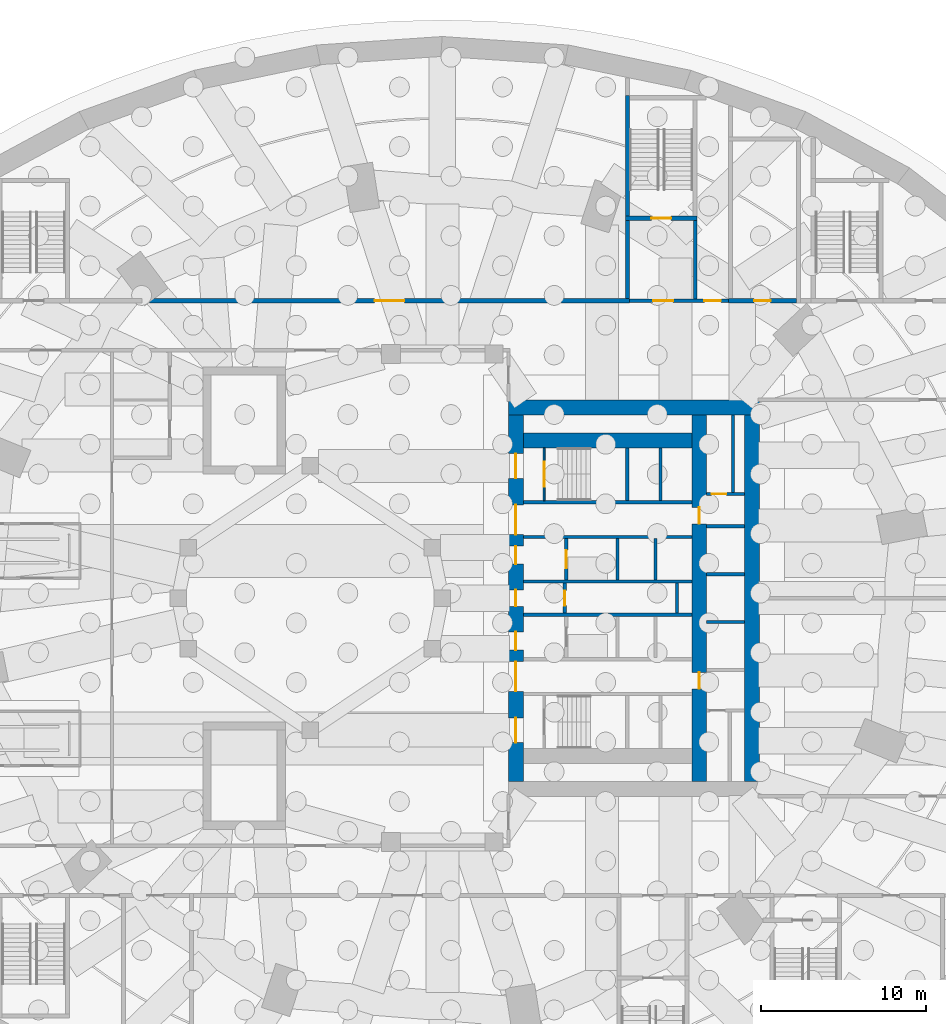
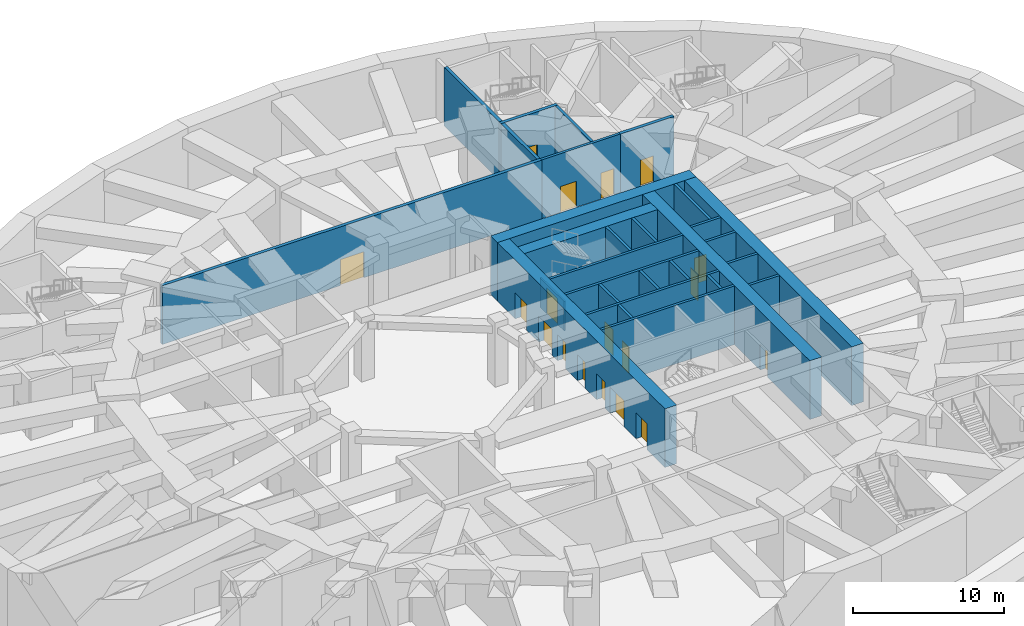
# One storey, part 10 of 18: 29 walls, 18 doors, 18 openings.
"""IFC4 building model written with IfcOpenShell, lengths in metres."""

from ifc_helpers import new_model, si_unit, direction, frame, frame_2d, origin, place, context, subcontext, project, spatial, rectangle, extrude, material, layer, layer_set, type_object, element, fill, save


model = new_model("IFC4")

# Units and contexts
model_context = context("Model", 3, precision=1e-05, world=origin(), true_north=direction((0.0, 1.0)))
body_context = subcontext(model_context, "Body", "Model", "MODEL_VIEW")
ifc_project = project(units=[si_unit("LENGTHUNIT", "METRE"), si_unit("AREAUNIT", "SQUARE_METRE"), si_unit("VOLUMEUNIT", "CUBIC_METRE"), si_unit("PLANEANGLEUNIT", "RADIAN"), si_unit("MASSUNIT", "GRAM", prefix="KILO")], contexts=[model_context])

# Site, building, storey
site_placement = place(None, origin())
site = spatial("IfcSite", under=ifc_project, at=site_placement, CompositionType="ELEMENT")
building_placement = place(site_placement, origin())
building = spatial("IfcBuilding", under=site, at=building_placement, Name="Taillehof Tower", CompositionType="ELEMENT")
storey_placement = place(building_placement, frame((0.0, 0.0, -10.39990234375)))
storey = spatial("IfcBuildingStorey", under=building, at=storey_placement, Name="B2", CompositionType="ELEMENT", Elevation=-10.39990234375)

# Wall, openings, doors
ifc_material_1 = material(Name="Calcium silicate blockwork", Category="masonry")
ifc_layer_1 = layer(ifc_material_1, 0.199951171875)
ifc_layer_set_1 = layer_set([ifc_layer_1], Name="Compartment wall EI 60 200 mm")
wall_type_1 = type_object("IfcWallType", Name="Compartment wall EI 60 200 mm", PredefinedType="PARTITIONING", material=ifc_layer_set_1)
wall_1_placement = place(storey_placement, frame((11.324951171875, 18.0, 0.0), z_axis=(0.0, 0.0, 1.0), x_axis=(1.0, 0.0, 0.0)))
wall_1 = element("IfcWall", 1, at=wall_1_placement, inside=storey, type_object=wall_type_1, Name="Wall B2-13 / B2-17", PredefinedType="PARTITIONING", context=body_context, shape_type="SweptSolid", body=[
    extrude(rectangle(XDim=6.0, YDim=0.199951171875, at=frame_2d((3.0, 0.0))), origin(), (0.0, 0.0, 1.0), 4.75),
])
opening_1_placement = place(wall_1_placement, frame((1.43798828125, 0.0, 0.0)))
opening_1 = element("IfcOpeningElement", 2, at=opening_1_placement, cuts=wall_1, Name="Opening DB273", PredefinedType="OPENING", context=body_context, shape_type="SweptSolid", body=[
    extrude(rectangle(XDim=1.199951171875, YDim=2.10009765625, at=frame_2d((0.60009765625, 1.050048828125))), frame((0.0, 0.10986328125, 0.0), z_axis=(0.0, -1.0, 0.0), x_axis=(1.0, 0.0, 0.0)), (0.0, 0.0, 1.0), 0.219970703125),
])
opening_2_placement = place(wall_1_placement, frame((4.5380859375, 0.0, 0.0)))
opening_2 = element("IfcOpeningElement", 3, at=opening_2_placement, cuts=wall_1, Name="Opening DB274", PredefinedType="OPENING", context=body_context, shape_type="SweptSolid", body=[
    extrude(rectangle(XDim=1.0, YDim=2.10009765625, at=frame_2d((0.5, 1.050048828125))), frame((0.0, 0.10986328125, 0.0), z_axis=(0.0, -1.0, 0.0), x_axis=(1.0, 0.0, 0.0)), (0.0, 0.0, 1.0), 0.219970703125),
])
ifc_material_2 = material(Name="Hollow metal door set")
door_type_1 = type_object("IfcDoorType", Name="Single door 1000 x 2100 FD60S", OperationType="SINGLE_SWING_LEFT", PredefinedType="DOOR", material=ifc_material_2)
door_1_placement = place(opening_2_placement, origin())
door_1 = element("IfcDoor", 4, at=door_1_placement, inside=storey, type_object=door_type_1, Name="Door DB274", OperationType="SINGLE_SWING_LEFT", OverallHeight=2.10009765625, OverallWidth=1.0, PredefinedType="DOOR", context=body_context, shape_type="SweptSolid", body=[
    extrude(rectangle(XDim=1.0, YDim=2.10009765625, at=frame_2d((0.5, 1.050048828125))), frame((0.0, 0.02490234375, 0.0), z_axis=(0.0, -1.0, 0.0), x_axis=(1.0, 0.0, 0.0)), (0.0, 0.0, 1.0), 0.050048828125),
])
fill(opening_2, door_1)
ifc_material_3 = material(Name="Hollow metal door set")
door_type_2 = type_object("IfcDoorType", Name="Single door 1200 x 2100 FD60S", OperationType="SINGLE_SWING_LEFT", PredefinedType="DOOR", material=ifc_material_3)
door_2_placement = place(opening_1_placement, origin())
door_2 = element("IfcDoor", 5, at=door_2_placement, inside=storey, type_object=door_type_2, Name="Door DB273", OperationType="SINGLE_SWING_RIGHT", OverallHeight=2.10009765625, OverallWidth=1.199951171875, PredefinedType="DOOR", context=body_context, shape_type="SweptSolid", body=[
    extrude(rectangle(XDim=1.199951171875, YDim=2.10009765625, at=frame_2d((0.60009765625, 1.050048828125))), frame((0.0, 0.02490234375, 0.0), z_axis=(0.0, -1.0, 0.0), x_axis=(1.0, 0.0, 0.0)), (0.0, 0.0, 1.0), 0.050048828125),
])
fill(opening_1, door_2)

# Wall
wall_2_placement = place(storey_placement, frame((15.300048828125, 18.10009765625, 0.0), z_axis=(0.0, 0.0, 1.0), x_axis=(0.0, 1.0, 0.0)))
element("IfcWall", 6, at=wall_2_placement, inside=storey, type_object=wall_type_1, Name="Wall B2-17 / B2-18", PredefinedType="PARTITIONING", context=body_context, shape_type="SweptSolid", body=[
    extrude(rectangle(XDim=4.77490234375, YDim=0.199951171875, at=frame_2d((2.387451171875, 0.0))), origin(), (0.0, 0.0, 1.0), 4.75),
])

# Wall, opening, door
ifc_material_4 = material(Name="Calcium silicate masonry", Category="masonry")
ifc_layer_2 = layer(ifc_material_4, 0.199951171875)
ifc_layer_set_2 = layer_set([ifc_layer_2], Name="Compartment wall calcium silicate 200")
wall_type_2 = type_object("IfcWallType", Name="Compartment wall calcium silicate 200", PredefinedType="PARTITIONING", material=ifc_layer_set_2)
wall_3_placement = place(storey_placement, frame((7.39990234375, -0.89990234375, 0.0), z_axis=(0.0, 0.0, 1.0), x_axis=(0.0, 1.0, 0.0)))
wall_3 = element("IfcWall", 7, at=wall_3_placement, inside=storey, type_object=wall_type_2, Name="Compartment wall FW", PredefinedType="PARTITIONING", context=body_context, shape_type="SweptSolid", body=[
    extrude(rectangle(XDim=1.7998046875, YDim=0.199951171875, at=frame_2d((0.89990234375, 0.0))), origin(), (0.0, 0.0, 1.0), 4.75),
])
opening_3_placement = place(wall_3_placement, frame((0.449951171875, 0.0, 0.0)))
opening_3 = element("IfcOpeningElement", 8, at=opening_3_placement, cuts=wall_3, Name="Opening DB210", PredefinedType="OPENING", context=body_context, shape_type="SweptSolid", body=[
    extrude(rectangle(XDim=0.89990234375, YDim=2.10009765625, at=frame_2d((0.449951171875, 1.050048828125))), frame((0.0, 0.10986328125, 0.0), z_axis=(0.0, -1.0, 0.0), x_axis=(1.0, 0.0, 0.0)), (0.0, 0.0, 1.0), 0.219970703125),
])
ifc_material_5 = material(Name="Steel-faced fire door", Category="steel")
door_type_3 = type_object("IfcDoorType", Name="Riser and service room door 900x2100", OperationType="SINGLE_SWING_LEFT", PredefinedType="DOOR", material=ifc_material_5)
door_3_placement = place(opening_3_placement, origin())
door_3 = element("IfcDoor", 9, at=door_3_placement, inside=storey, type_object=door_type_3, Name="Door Electrical Room", OperationType="SINGLE_SWING_RIGHT", OverallHeight=2.10009765625, OverallWidth=0.89990234375, PredefinedType="DOOR", context=body_context, shape_type="SweptSolid", body=[
    extrude(rectangle(XDim=0.89990234375, YDim=2.10009765625, at=frame_2d((0.449951171875, 1.050048828125))), frame((0.0, 0.02490234375, 0.0), z_axis=(0.0, -1.0, 0.0), x_axis=(1.0, 0.0, 0.0)), (0.0, 0.0, 1.0), 0.050048828125),
])
fill(opening_3, door_3)

# Wall
wall_4_placement = place(storey_placement, frame((14.199951171875, -0.89990234375, 0.0), z_axis=(0.0, 0.0, 1.0), x_axis=(0.0, 1.0, 0.0)))
element("IfcWall", 10, at=wall_4_placement, inside=storey, type_object=wall_type_2, Name="Compartment wall FW", PredefinedType="PARTITIONING", context=body_context, shape_type="SweptSolid", body=[
    extrude(rectangle(XDim=1.7998046875, YDim=0.199951171875, at=frame_2d((0.89990234375, 0.0))), origin(), (0.0, 0.0, 1.0), 4.75),
])

# Wall, opening, door
wall_5_placement = place(storey_placement, frame((16.0, 6.300048828125, 0.0), z_axis=(0.0, 0.0, 1.0), x_axis=(1.0, 0.0, 0.0)))
wall_5 = element("IfcWall", 11, at=wall_5_placement, inside=storey, type_object=wall_type_2, Name="Compartment wall FW", PredefinedType="PARTITIONING", context=body_context, shape_type="SweptSolid", body=[
    extrude(rectangle(XDim=2.300048828125, YDim=0.199951171875, at=frame_2d((1.14990234375, 0.0))), origin(), (0.0, 0.0, 1.0), 4.75),
])
opening_4_placement = place(wall_5_placement, frame((0.300048828125, 0.0, 0.0)))
opening_4 = element("IfcOpeningElement", 12, at=opening_4_placement, cuts=wall_5, Name="Opening DB212", PredefinedType="OPENING", context=body_context, shape_type="SweptSolid", body=[
    extrude(rectangle(XDim=0.89990234375, YDim=2.10009765625, at=frame_2d((0.449951171875, 1.050048828125))), frame((0.0, 0.10986328125, 0.0), z_axis=(0.0, -1.0, 0.0), x_axis=(1.0, 0.0, 0.0)), (0.0, 0.0, 1.0), 0.219970703125),
])
door_4_placement = place(opening_4_placement, origin())
door_4 = element("IfcDoor", 13, at=door_4_placement, inside=storey, type_object=door_type_3, Name="Door Electrical Room", OperationType="SINGLE_SWING_RIGHT", OverallHeight=2.10009765625, OverallWidth=0.89990234375, PredefinedType="DOOR", context=body_context, shape_type="SweptSolid", body=[
    extrude(rectangle(XDim=0.89990234375, YDim=2.10009765625, at=frame_2d((0.449951171875, 1.050048828125))), frame((0.0, 0.02490234375, 0.0), z_axis=(0.0, -1.0, 0.0), x_axis=(1.0, 0.0, 0.0)), (0.0, 0.0, 1.0), 0.050048828125),
])
fill(opening_4, door_4)

# Wall
wall_6_placement = place(storey_placement, frame((17.60009765625, 6.39990234375, 0.0), z_axis=(0.0, 0.0, 1.0), x_axis=(0.0, 1.0, 0.0)))
element("IfcWall", 14, at=wall_6_placement, inside=storey, type_object=wall_type_2, Name="Compartment wall FW", PredefinedType="PARTITIONING", context=body_context, shape_type="SweptSolid", body=[
    extrude(rectangle(XDim=4.7001953125, YDim=0.199951171875, at=frame_2d((2.35009765625, 0.0))), origin(), (0.0, 0.0, 1.0), 4.75),
])

# Wall, openings, doors
ifc_material_6 = material(Name="Concrete C80/95", Category="concrete")
ifc_layer_3 = layer(ifc_material_6, 0.89990234375)
ifc_layer_set_3 = layer_set([ifc_layer_3], Name="Core wall C80/95 900")
wall_type_3 = type_object("IfcWallType", Name="Core wall C80/95 900", PredefinedType="SHEAR", material=ifc_layer_set_3)
wall_7_placement = place(storey_placement, frame((4.449951171875, -11.10009765625, 0.0), z_axis=(0.0, 0.0, 1.0), x_axis=(0.0, 1.0, 0.0)))
wall_7 = element("IfcWall", 15, at=wall_7_placement, inside=storey, type_object=wall_type_3, Name="Core wall CW01", PredefinedType="SHEAR", context=body_context, shape_type="SweptSolid", body=[
    extrude(rectangle(XDim=22.2001953125, YDim=0.89990234375, at=frame_2d((11.10009765625, 0.0))), origin(), (0.0, 0.0, 1.0), 4.75),
])
opening_5_placement = place(wall_7_placement, frame((2.35009765625, 0.0, 0.0)))
opening_5 = element("IfcOpeningElement", 16, at=opening_5_placement, cuts=wall_7, Name="Opening DB201", PredefinedType="OPENING", context=body_context, shape_type="SweptSolid", body=[
    extrude(rectangle(XDim=1.5, YDim=2.10009765625, at=frame_2d((0.75, 1.050048828125))), frame((0.0, 0.4599609375, 0.0), z_axis=(0.0, -1.0, 0.0), x_axis=(1.0, 0.0, 0.0)), (0.0, 0.0, 1.0), 0.919921875),
])
opening_6_placement = place(wall_7_placement, frame((5.449951171875, 0.0, 0.0)))
opening_6 = element("IfcOpeningElement", 17, at=opening_6_placement, cuts=wall_7, Name="Opening DB202", PredefinedType="OPENING", context=body_context, shape_type="SweptSolid", body=[
    extrude(rectangle(XDim=1.800048828125, YDim=2.10009765625, at=frame_2d((0.89990234375, 1.050048828125))), frame((0.0, 0.4599609375, 0.0), z_axis=(0.0, -1.0, 0.0), x_axis=(1.0, 0.0, 0.0)), (0.0, 0.0, 1.0), 0.919921875),
])
opening_7_placement = place(wall_7_placement, frame((7.949951171875, 0.0, 0.0)))
opening_7 = element("IfcOpeningElement", 18, at=opening_7_placement, cuts=wall_7, Name="Opening DB203", PredefinedType="OPENING", context=body_context, shape_type="SweptSolid", body=[
    extrude(rectangle(XDim=1.10009765625, YDim=2.10009765625, at=frame_2d((0.550048828125, 1.050048828125))), frame((0.0, 0.4599609375, 0.0), z_axis=(0.0, -1.0, 0.0), x_axis=(1.0, 0.0, 0.0)), (0.0, 0.0, 1.0), 0.919921875),
])
opening_8_placement = place(wall_7_placement, frame((10.60009765625, 0.0, 0.0)))
opening_8 = element("IfcOpeningElement", 19, at=opening_8_placement, cuts=wall_7, Name="Opening DB204", PredefinedType="OPENING", context=body_context, shape_type="SweptSolid", body=[
    extrude(rectangle(XDim=1.0, YDim=2.10009765625, at=frame_2d((0.5, 1.050048828125))), frame((0.0, 0.4599609375, 0.0), z_axis=(0.0, -1.0, 0.0), x_axis=(1.0, 0.0, 0.0)), (0.0, 0.0, 1.0), 0.919921875),
])
opening_9_placement = place(wall_7_placement, frame((13.14990234375, 0.0, 0.0)))
opening_9 = element("IfcOpeningElement", 20, at=opening_9_placement, cuts=wall_7, Name="Opening DB205", PredefinedType="OPENING", context=body_context, shape_type="SweptSolid", body=[
    extrude(rectangle(XDim=1.10009765625, YDim=2.10009765625, at=frame_2d((0.550048828125, 1.050048828125))), frame((0.0, 0.4599609375, 0.0), z_axis=(0.0, -1.0, 0.0), x_axis=(1.0, 0.0, 0.0)), (0.0, 0.0, 1.0), 0.919921875),
])
opening_10_placement = place(wall_7_placement, frame((14.949951171875, 0.0, 0.0)))
opening_10 = element("IfcOpeningElement", 21, at=opening_10_placement, cuts=wall_7, Name="Opening DB206", PredefinedType="OPENING", context=body_context, shape_type="SweptSolid", body=[
    extrude(rectangle(XDim=1.800048828125, YDim=2.10009765625, at=frame_2d((0.89990234375, 1.050048828125))), frame((0.0, 0.4599609375, 0.0), z_axis=(0.0, -1.0, 0.0), x_axis=(1.0, 0.0, 0.0)), (0.0, 0.0, 1.0), 0.919921875),
])
opening_11_placement = place(wall_7_placement, frame((18.35009765625, 0.0, 0.0)))
opening_11 = element("IfcOpeningElement", 22, at=opening_11_placement, cuts=wall_7, Name="Opening DB207", PredefinedType="OPENING", context=body_context, shape_type="SweptSolid", body=[
    extrude(rectangle(XDim=1.5, YDim=2.10009765625, at=frame_2d((0.75, 1.050048828125))), frame((0.0, 0.4599609375, 0.0), z_axis=(0.0, -1.0, 0.0), x_axis=(1.0, 0.0, 0.0)), (0.0, 0.0, 1.0), 0.919921875),
])
ifc_material_7 = material(Name="Steel-faced fire door", Category="steel")
door_type_4 = type_object("IfcDoorType", Name="Firefighting lobby door 1100x2100", OperationType="SINGLE_SWING_RIGHT", PredefinedType="DOOR", material=ifc_material_7)
door_5_placement = place(opening_7_placement, origin())
door_5 = element("IfcDoor", 23, at=door_5_placement, inside=storey, type_object=door_type_4, Name="Firefighting lobby door FFL-S", OperationType="SINGLE_SWING_RIGHT", OverallHeight=2.10009765625, OverallWidth=1.10009765625, PredefinedType="DOOR", context=body_context, shape_type="SweptSolid", body=[
    extrude(rectangle(XDim=1.10009765625, YDim=2.10009765625, at=frame_2d((0.550048828125, 1.050048828125))), frame((0.0, 0.02490234375, 0.0), z_axis=(0.0, -1.0, 0.0), x_axis=(1.0, 0.0, 0.0)), (0.0, 0.0, 1.0), 0.050048828125),
])
fill(opening_7, door_5)
door_6_placement = place(opening_9_placement, origin())
door_6 = element("IfcDoor", 24, at=door_6_placement, inside=storey, type_object=door_type_4, Name="Firefighting lobby door FFL-N", OperationType="SINGLE_SWING_LEFT", OverallHeight=2.10009765625, OverallWidth=1.10009765625, PredefinedType="DOOR", context=body_context, shape_type="SweptSolid", body=[
    extrude(rectangle(XDim=1.10009765625, YDim=2.10009765625, at=frame_2d((0.550048828125, 1.050048828125))), frame((0.0, 0.02490234375, 0.0), z_axis=(0.0, -1.0, 0.0), x_axis=(1.0, 0.0, 0.0)), (0.0, 0.0, 1.0), 0.050048828125),
])
fill(opening_9, door_6)
ifc_material_8 = material(Name="Steel-faced fire door", Category="steel")
door_type_5 = type_object("IfcDoorType", Name="Lift lobby door 1800x2100", OperationType="DOUBLE_DOOR_SINGLE_SWING", PredefinedType="DOOR", material=ifc_material_8)
door_7_placement = place(opening_6_placement, origin())
door_7 = element("IfcDoor", 25, at=door_7_placement, inside=storey, type_object=door_type_5, Name="Lift lobby door LL-S", OperationType="DOUBLE_DOOR_SINGLE_SWING", OverallHeight=2.10009765625, OverallWidth=1.800048828125, PredefinedType="DOOR", context=body_context, shape_type="SweptSolid", body=[
    extrude(rectangle(XDim=1.800048828125, YDim=2.10009765625, at=frame_2d((0.89990234375, 1.050048828125))), frame((0.0, 0.02490234375, 0.0), z_axis=(0.0, -1.0, 0.0), x_axis=(1.0, 0.0, 0.0)), (0.0, 0.0, 1.0), 0.050048828125),
])
fill(opening_6, door_7)
door_8_placement = place(opening_10_placement, origin())
door_8 = element("IfcDoor", 26, at=door_8_placement, inside=storey, type_object=door_type_5, Name="Lift lobby door LL-N", OperationType="DOUBLE_DOOR_SINGLE_SWING", OverallHeight=2.10009765625, OverallWidth=1.800048828125, PredefinedType="DOOR", context=body_context, shape_type="SweptSolid", body=[
    extrude(rectangle(XDim=1.800048828125, YDim=2.10009765625, at=frame_2d((0.89990234375, 1.050048828125))), frame((0.0, 0.02490234375, 0.0), z_axis=(0.0, -1.0, 0.0), x_axis=(1.0, 0.0, 0.0)), (0.0, 0.0, 1.0), 0.050048828125),
])
fill(opening_10, door_8)
ifc_material_9 = material(Name="Steel-faced fire door", Category="steel")
door_type_6 = type_object("IfcDoorType", Name="Service door 1000x2100", OperationType="SINGLE_SWING_RIGHT", PredefinedType="DOOR", material=ifc_material_9)
door_9_placement = place(opening_8_placement, origin())
door_9 = element("IfcDoor", 27, at=door_9_placement, inside=storey, type_object=door_type_6, Name="Service door SV", OperationType="SINGLE_SWING_RIGHT", OverallHeight=2.10009765625, OverallWidth=1.0, PredefinedType="DOOR", context=body_context, shape_type="SweptSolid", body=[
    extrude(rectangle(XDim=1.0, YDim=2.10009765625, at=frame_2d((0.5, 1.050048828125))), frame((0.0, 0.02490234375, 0.0), z_axis=(0.0, -1.0, 0.0), x_axis=(1.0, 0.0, 0.0)), (0.0, 0.0, 1.0), 0.050048828125),
])
fill(opening_8, door_9)
ifc_material_10 = material(Name="Steel-faced fire door", Category="steel")
door_type_7 = type_object("IfcDoorType", Name="Stair door 1500x2100", OperationType="DOUBLE_DOOR_SINGLE_SWING", PredefinedType="DOOR", material=ifc_material_10)
door_10_placement = place(opening_5_placement, origin())
door_10 = element("IfcDoor", 28, at=door_10_placement, inside=storey, type_object=door_type_7, Name="Stair door S2", OperationType="DOUBLE_DOOR_SINGLE_SWING", OverallHeight=2.10009765625, OverallWidth=1.5, PredefinedType="DOOR", context=body_context, shape_type="SweptSolid", body=[
    extrude(rectangle(XDim=1.5, YDim=2.10009765625, at=frame_2d((0.75, 1.050048828125))), frame((0.0, 0.02490234375, 0.0), z_axis=(0.0, -1.0, 0.0), x_axis=(1.0, 0.0, 0.0)), (0.0, 0.0, 1.0), 0.050048828125),
])
fill(opening_5, door_10)
door_11_placement = place(opening_11_placement, origin())
door_11 = element("IfcDoor", 29, at=door_11_placement, inside=storey, type_object=door_type_7, Name="Stair door S1", OperationType="DOUBLE_DOOR_SINGLE_SWING", OverallHeight=2.10009765625, OverallWidth=1.5, PredefinedType="DOOR", context=body_context, shape_type="SweptSolid", body=[
    extrude(rectangle(XDim=1.5, YDim=2.10009765625, at=frame_2d((0.75, 1.050048828125))), frame((0.0, 0.02490234375, 0.0), z_axis=(0.0, -1.0, 0.0), x_axis=(1.0, 0.0, 0.0)), (0.0, 0.0, 1.0), 0.050048828125),
])
fill(opening_11, door_11)

# Walls
wall_8_placement = place(storey_placement, frame((18.75, -11.10009765625, 0.0), z_axis=(0.0, 0.0, 1.0), x_axis=(0.0, 1.0, 0.0)))
element("IfcWall", 30, at=wall_8_placement, inside=storey, type_object=wall_type_3, Name="Core wall CW02", PredefinedType="SHEAR", context=body_context, shape_type="SweptSolid", body=[
    extrude(rectangle(XDim=22.2001953125, YDim=0.89990234375, at=frame_2d((11.10009765625, 0.0))), origin(), (0.0, 0.0, 1.0), 4.75),
])
wall_9_placement = place(storey_placement, frame((4.0, 11.550048828125, 0.0), z_axis=(0.0, 0.0, 1.0), x_axis=(1.0, 0.0, 0.0)))
element("IfcWall", 31, at=wall_9_placement, inside=storey, type_object=wall_type_3, Name="Core wall CW03", PredefinedType="SHEAR", context=body_context, shape_type="SweptSolid", body=[
    extrude(rectangle(XDim=15.199951171875, YDim=0.89990234375, at=frame_2d((7.60009765625, 0.0))), origin(), (0.0, 0.0, 1.0), 4.75),
])

# Wall, openings, doors
wall_10_placement = place(storey_placement, frame((15.550048828125, -11.10009765625, 0.0), z_axis=(0.0, 0.0, 1.0), x_axis=(0.0, 1.0, 0.0)))
wall_10 = element("IfcWall", 32, at=wall_10_placement, inside=storey, type_object=wall_type_3, Name="Core wall CW05", PredefinedType="SHEAR", context=body_context, shape_type="SweptSolid", body=[
    extrude(rectangle(XDim=22.2001953125, YDim=0.89990234375, at=frame_2d((11.10009765625, 0.0))), origin(), (0.0, 0.0, 1.0), 4.75),
])
opening_12_placement = place(wall_10_placement, frame((15.60009765625, 0.0, 0.0)))
opening_12 = element("IfcOpeningElement", 33, at=opening_12_placement, cuts=wall_10, Name="Opening DB211", PredefinedType="OPENING", context=body_context, shape_type="SweptSolid", body=[
    extrude(rectangle(XDim=1.0, YDim=2.10009765625, at=frame_2d((0.5, 1.050048828125))), frame((0.0, 0.4599609375, 0.0), z_axis=(0.0, -1.0, 0.0), x_axis=(1.0, 0.0, 0.0)), (0.0, 0.0, 1.0), 0.919921875),
])
opening_13_placement = place(wall_10_placement, frame((5.60009765625, 0.0, 0.0)))
opening_13 = element("IfcOpeningElement", 34, at=opening_13_placement, cuts=wall_10, Name="Opening DB213", PredefinedType="OPENING", context=body_context, shape_type="SweptSolid", body=[
    extrude(rectangle(XDim=1.0, YDim=2.10009765625, at=frame_2d((0.5, 1.050048828125))), frame((0.0, 0.4599609375, 0.0), z_axis=(0.0, -1.0, 0.0), x_axis=(1.0, 0.0, 0.0)), (0.0, 0.0, 1.0), 0.919921875),
])
door_12_placement = place(opening_12_placement, origin())
door_12 = element("IfcDoor", 35, at=door_12_placement, inside=storey, type_object=door_type_6, Name="Service door strip", OperationType="SINGLE_SWING_RIGHT", OverallHeight=2.10009765625, OverallWidth=1.0, PredefinedType="DOOR", context=body_context, shape_type="SweptSolid", body=[
    extrude(rectangle(XDim=1.0, YDim=2.10009765625, at=frame_2d((0.5, 1.050048828125))), frame((0.0, 0.02490234375, 0.0), z_axis=(0.0, -1.0, 0.0), x_axis=(1.0, 0.0, 0.0)), (0.0, 0.0, 1.0), 0.050048828125),
])
fill(opening_12, door_12)
door_13_placement = place(opening_13_placement, origin())
door_13 = element("IfcDoor", 36, at=door_13_placement, inside=storey, type_object=door_type_6, Name="Service door strip", OperationType="SINGLE_SWING_LEFT", OverallHeight=2.10009765625, OverallWidth=1.0, PredefinedType="DOOR", context=body_context, shape_type="SweptSolid", body=[
    extrude(rectangle(XDim=1.0, YDim=2.10009765625, at=frame_2d((0.5, 1.050048828125))), frame((0.0, 0.02490234375, 0.0), z_axis=(0.0, -1.0, 0.0), x_axis=(1.0, 0.0, 0.0)), (0.0, 0.0, 1.0), 0.050048828125),
])
fill(opening_13, door_13)

# Wall
wall_11_placement = place(storey_placement, frame((4.89990234375, 9.550048828125, 0.0), z_axis=(0.0, 0.0, 1.0), x_axis=(1.0, 0.0, 0.0)))
element("IfcWall", 37, at=wall_11_placement, inside=storey, type_object=wall_type_3, Name="Core wall CW06", PredefinedType="SHEAR", context=body_context, shape_type="SweptSolid", body=[
    extrude(rectangle(XDim=10.2001953125, YDim=0.89990234375, at=frame_2d((5.10009765625, 0.0))), origin(), (0.0, 0.0, 1.0), 4.75),
])

# Wall, opening, door
ifc_material_11 = material(Name="Calcium silicate blockwork", Category="masonry")
ifc_layer_4 = layer(ifc_material_11, 0.25)
ifc_layer_set_4 = layer_set([ifc_layer_4], Name="Fire-resisting wall EI 120 250 mm")
wall_type_4 = type_object("IfcWallType", Name="Fire-resisting wall EI 120 250 mm", PredefinedType="PARTITIONING", material=ifc_layer_set_4)
wall_12_placement = place(storey_placement, frame((-17.73974609375, 18.0, 0.0), z_axis=(0.0, 0.0, 1.0), x_axis=(1.0, 0.0, 0.0)))
wall_12 = element("IfcWall", 38, at=wall_12_placement, inside=storey, type_object=wall_type_4, Name="Wall B2-13 / B2-16", PredefinedType="PARTITIONING", context=body_context, shape_type="SweptSolid", body=[
    extrude(rectangle(XDim=29.064697265625, YDim=0.25, at=frame_2d((14.5322265625, 0.0))), origin(), (0.0, 0.0, 1.0), 4.75),
])
opening_14_placement = place(wall_12_placement, frame((13.6328125, 0.0, 0.0)))
opening_14 = element("IfcOpeningElement", 39, at=opening_14_placement, cuts=wall_12, Name="Opening DB272", PredefinedType="OPENING", context=body_context, shape_type="SweptSolid", body=[
    extrude(rectangle(XDim=1.800048828125, YDim=2.10009765625, at=frame_2d((0.89990234375, 1.050048828125))), frame((0.0, 0.135009765625, 0.0), z_axis=(0.0, -1.0, 0.0), x_axis=(1.0, 0.0, 0.0)), (0.0, 0.0, 1.0), 0.27001953125),
])
ifc_material_12 = material(Name="Hollow metal door set")
door_type_8 = type_object("IfcDoorType", Name="Double door 1800 x 2100 FD120S", OperationType="DOUBLE_DOOR_SINGLE_SWING", PredefinedType="DOOR", material=ifc_material_12)
door_14_placement = place(opening_14_placement, origin())
door_14 = element("IfcDoor", 40, at=door_14_placement, inside=storey, type_object=door_type_8, Name="Door DB272", OperationType="DOUBLE_DOOR_SINGLE_SWING", OverallHeight=2.10009765625, OverallWidth=1.800048828125, PredefinedType="DOOR", context=body_context, shape_type="SweptSolid", body=[
    extrude(rectangle(XDim=1.800048828125, YDim=2.10009765625, at=frame_2d((0.89990234375, 1.050048828125))), frame((0.0, 0.02490234375, 0.0), z_axis=(0.0, -1.0, 0.0), x_axis=(1.0, 0.0, 0.0)), (0.0, 0.0, 1.0), 0.050048828125),
])
fill(opening_14, door_14)

wall_13_placement = place(storey_placement, frame((17.324951171875, 18.0, 0.0), z_axis=(0.0, 0.0, 1.0), x_axis=(1.0, 0.0, 0.0)))
wall_13 = element("IfcWall", 41, at=wall_13_placement, inside=storey, type_object=wall_type_4, Name="Wall B2-13 / B2-19", PredefinedType="PARTITIONING", context=body_context, shape_type="SweptSolid", body=[
    extrude(rectangle(XDim=4.10009765625, YDim=0.25, at=frame_2d((2.050048828125, 0.0))), origin(), (0.0, 0.0, 1.0), 4.75),
])
opening_15_placement = place(wall_13_placement, frame((1.550048828125, 0.0, 0.0)))
opening_15 = element("IfcOpeningElement", 42, at=opening_15_placement, cuts=wall_13, Name="Opening DB275", PredefinedType="OPENING", context=body_context, shape_type="SweptSolid", body=[
    extrude(rectangle(XDim=1.0, YDim=2.10009765625, at=frame_2d((0.5, 1.050048828125))), frame((0.0, 0.135009765625, 0.0), z_axis=(0.0, -1.0, 0.0), x_axis=(1.0, 0.0, 0.0)), (0.0, 0.0, 1.0), 0.27001953125),
])
ifc_material_13 = material(Name="Hollow metal door set")
door_type_9 = type_object("IfcDoorType", Name="Single door 1000 x 2100 FD120S", OperationType="SINGLE_SWING_LEFT", PredefinedType="DOOR", material=ifc_material_13)
door_15_placement = place(opening_15_placement, origin())
door_15 = element("IfcDoor", 43, at=door_15_placement, inside=storey, type_object=door_type_9, Name="Door DB275", OperationType="SINGLE_SWING_LEFT", OverallHeight=2.10009765625, OverallWidth=1.0, PredefinedType="DOOR", context=body_context, shape_type="SweptSolid", body=[
    extrude(rectangle(XDim=1.0, YDim=2.10009765625, at=frame_2d((0.5, 1.050048828125))), frame((0.0, 0.02490234375, 0.0), z_axis=(0.0, -1.0, 0.0), x_axis=(1.0, 0.0, 0.0)), (0.0, 0.0, 1.0), 0.050048828125),
])
fill(opening_15, door_15)

# Walls
wall_14_placement = place(storey_placement, frame((11.199951171875, 18.125, 0.0), z_axis=(0.0, 0.0, 1.0), x_axis=(0.0, 1.0, 0.0)))
element("IfcWall", 44, at=wall_14_placement, inside=storey, type_object=wall_type_4, Name="Wall B2-16 / B2-17", PredefinedType="PARTITIONING", context=body_context, shape_type="SweptSolid", body=[
    extrude(rectangle(XDim=4.75, YDim=0.25, at=frame_2d((2.375, 0.0))), origin(), (0.0, 0.0, 1.0), 4.75),
])
ifc_material_14 = material(Name="Concrete C50/60", Category="concrete")
ifc_layer_5 = layer(ifc_material_14, 0.199951171875)
ifc_layer_set_5 = layer_set([ifc_layer_5], Name="Shaft wall C50/60 200")
wall_type_5 = type_object("IfcWallType", Name="Shaft wall C50/60 200", PredefinedType="SHEAR", material=ifc_layer_set_5)
for number, where, z_axis, x_axis, name in (
    (45, (4.89990234375, 5.800048828125, 0.0), (0.0, 0.0, 1.0), (1.0, 0.0, 0.0), "Shaft wall SW"),
    (46, (4.89990234375, 3.699951171875, 0.0), (0.0, 0.0, 1.0), (1.0, 0.0, 0.0), "Shaft wall SW"),
    (47, (4.89990234375, 1.0, 0.0), (0.0, 0.0, 1.0), (1.0, 0.0, 0.0), "Shaft wall SW"),
    (48, (4.89990234375, -1.0, 0.0), (0.0, 0.0, 1.0), (1.0, 0.0, 0.0), "Shaft wall SW"),
):
    element("IfcWall", number, at=place(storey_placement, frame(where, z_axis=z_axis, x_axis=x_axis)), inside=storey, type_object=wall_type_5, Name=name, PredefinedType="SHEAR", context=body_context, shape_type="SweptSolid", body=[
        extrude(rectangle(XDim=10.2001953125, YDim=0.199951171875, at=frame_2d((5.10009765625, 0.0))), origin(), (0.0, 0.0, 1.0), 4.75),
    ])
for number, where, z_axis, x_axis, name in (
    (49, (11.199951171875, 5.89990234375, 0.0), (0.0, 0.0, 1.0), (0.0, 1.0, 0.0), "Shaft wall SW"),
    (50, (13.199951171875, 5.89990234375, 0.0), (0.0, 0.0, 1.0), (0.0, 1.0, 0.0), "Shaft wall SW"),
):
    element("IfcWall", number, at=place(storey_placement, frame(where, z_axis=z_axis, x_axis=x_axis)), inside=storey, type_object=wall_type_5, Name=name, PredefinedType="SHEAR", context=body_context, shape_type="SweptSolid", body=[
        extrude(rectangle(XDim=3.2001953125, YDim=0.199951171875, at=frame_2d((1.60009765625, 0.0))), origin(), (0.0, 0.0, 1.0), 4.75),
    ])

# Wall, opening, door
wall_15_placement = place(storey_placement, frame((7.5, 1.10009765625, 0.0), z_axis=(0.0, 0.0, 1.0), x_axis=(0.0, 1.0, 0.0)))
wall_15 = element("IfcWall", 51, at=wall_15_placement, inside=storey, type_object=wall_type_5, Name="Shaft wall SW", PredefinedType="SHEAR", context=body_context, shape_type="SweptSolid", body=[
    extrude(rectangle(XDim=2.5, YDim=0.199951171875, at=frame_2d((1.25, 0.0))), origin(), (0.0, 0.0, 1.0), 4.75),
])
opening_16_placement = place(wall_15_placement, frame((0.699951171875, 0.0, 0.0)))
opening_16 = element("IfcOpeningElement", 52, at=opening_16_placement, cuts=wall_15, Name="Opening LD1", PredefinedType="OPENING", context=body_context, shape_type="SweptSolid", body=[
    extrude(rectangle(XDim=1.10009765625, YDim=2.10009765625, at=frame_2d((0.550048828125, 1.050048828125))), frame((0.0, 0.10986328125, 0.0), z_axis=(0.0, -1.0, 0.0), x_axis=(1.0, 0.0, 0.0)), (0.0, 0.0, 1.0), 0.219970703125),
])
ifc_material_15 = material(Name="Stainless steel", Category="steel")
door_type_10 = type_object("IfcDoorType", Name="Lift landing door LD1 1100x2100", OperationType="DOUBLE_DOOR_SLIDING", PredefinedType="DOOR", material=ifc_material_15)
door_16_placement = place(opening_16_placement, origin())
door_16 = element("IfcDoor", 53, at=door_16_placement, inside=storey, type_object=door_type_10, Name="Landing door FF1", OperationType="DOUBLE_DOOR_SLIDING", OverallHeight=2.10009765625, OverallWidth=1.10009765625, PredefinedType="DOOR", context=body_context, shape_type="SweptSolid", body=[
    extrude(rectangle(XDim=1.10009765625, YDim=2.10009765625, at=frame_2d((0.550048828125, 1.050048828125))), frame((0.0, 0.02490234375, 0.0), z_axis=(0.0, -1.0, 0.0), x_axis=(1.0, 0.0, 0.0)), (0.0, 0.0, 1.0), 0.050048828125),
])
fill(opening_16, door_16)

# Walls
for number, where, z_axis, x_axis, name in (
    (54, (10.60009765625, 1.10009765625, 0.0), (0.0, 0.0, 1.0), (0.0, 1.0, 0.0), "Shaft wall SW"),
    (55, (12.89990234375, 1.10009765625, 0.0), (0.0, 0.0, 1.0), (0.0, 1.0, 0.0), "Shaft wall SW"),
):
    element("IfcWall", number, at=place(storey_placement, frame(where, z_axis=z_axis, x_axis=x_axis)), inside=storey, type_object=wall_type_5, Name=name, PredefinedType="SHEAR", context=body_context, shape_type="SweptSolid", body=[
        extrude(rectangle(XDim=2.5, YDim=0.199951171875, at=frame_2d((1.25, 0.0))), origin(), (0.0, 0.0, 1.0), 4.75),
    ])
for number, where, z_axis, x_axis, name in (
    (56, (16.0, -1.449951171875, 0.0), (0.0, 0.0, 1.0), (1.0, 0.0, 0.0), "Shaft wall SW"),
    (57, (16.0, 1.449951171875, 0.0), (0.0, 0.0, 1.0), (1.0, 0.0, 0.0), "Shaft wall SW"),
    (58, (16.0, 4.35009765625, 0.0), (0.0, 0.0, 1.0), (1.0, 0.0, 0.0), "Shaft wall SW"),
):
    element("IfcWall", number, at=place(storey_placement, frame(where, z_axis=z_axis, x_axis=x_axis)), inside=storey, type_object=wall_type_5, Name=name, PredefinedType="SHEAR", context=body_context, shape_type="SweptSolid", body=[
        extrude(rectangle(XDim=2.300048828125, YDim=0.199951171875, at=frame_2d((1.14990234375, 0.0))), origin(), (0.0, 0.0, 1.0), 4.75),
    ])

# Wall, opening, door
ifc_material_16 = material(Name="Concrete C50/60", Category="concrete")
ifc_layer_6 = layer(ifc_material_16, 0.1201171875)
ifc_layer_set_6 = layer_set([ifc_layer_6], Name="Stair lobby wall C50/60 120")
wall_type_6 = type_object("IfcWallType", Name="Stair lobby wall C50/60 120", PredefinedType="SHEAR", material=ifc_layer_set_6)
wall_16_placement = place(storey_placement, frame((6.159912109375, 5.89990234375, 0.0), z_axis=(0.0, 0.0, 1.0), x_axis=(0.0, 1.0, 0.0)))
wall_16 = element("IfcWall", 59, at=wall_16_placement, inside=storey, type_object=wall_type_6, Name="Compartment wall SW", PredefinedType="SHEAR", context=body_context, shape_type="SweptSolid", body=[
    extrude(rectangle(XDim=3.2001953125, YDim=0.1201171875, at=frame_2d((1.60009765625, 0.0))), origin(), (0.0, 0.0, 1.0), 2.389892578125),
])
opening_17_placement = place(wall_16_placement, frame((0.85009765625, 0.0, 0.0)))
opening_17 = element("IfcOpeningElement", 60, at=opening_17_placement, cuts=wall_16, Name="Opening DB208", PredefinedType="OPENING", context=body_context, shape_type="SweptSolid", body=[
    extrude(rectangle(XDim=1.5, YDim=2.10009765625, at=frame_2d((0.75, 1.050048828125))), frame((0.0, 0.070068359375, 0.0), z_axis=(0.0, -1.0, 0.0), x_axis=(1.0, 0.0, 0.0)), (0.0, 0.0, 1.0), 0.14013671875),
])
door_17_placement = place(opening_17_placement, origin())
door_17 = element("IfcDoor", 61, at=door_17_placement, inside=storey, type_object=door_type_7, Name="Stair lobby door S1", OperationType="DOUBLE_DOOR_SINGLE_SWING", OverallHeight=2.10009765625, OverallWidth=1.5, PredefinedType="DOOR", context=body_context, shape_type="SweptSolid", body=[
    extrude(rectangle(XDim=1.5, YDim=2.10009765625, at=frame_2d((0.75, 1.050048828125))), frame((0.0, 0.02490234375, 0.0), z_axis=(0.0, -1.0, 0.0), x_axis=(1.0, 0.0, 0.0)), (0.0, 0.0, 1.0), 0.050048828125),
])
fill(opening_17, door_17)

ifc_material_17 = material(Name="Concrete C40/50", Category="concrete")
ifc_layer_7 = layer(ifc_material_17, 0.25)
ifc_layer_set_7 = layer_set([ifc_layer_7], Name="Stair wall EI 120 250 mm")
wall_type_7 = type_object("IfcWallType", Name="Stair wall EI 120 250 mm", PredefinedType="SOLIDWALL", material=ifc_layer_set_7)
wall_17_placement = place(storey_placement, frame((11.074951171875, 23.0, 0.0), z_axis=(0.0, 0.0, 1.0), x_axis=(1.0, 0.0, 0.0)))
wall_17 = element("IfcWall", 62, at=wall_17_placement, inside=storey, type_object=wall_type_7, Name="Wall B2-03 / B2-17", PredefinedType="SOLIDWALL", context=body_context, shape_type="SweptSolid", body=[
    extrude(rectangle(XDim=4.35009765625, YDim=0.25, at=frame_2d((2.175048828125, 0.0))), origin(), (0.0, 0.0, 1.0), 4.75),
])
opening_18_placement = place(wall_17_placement, frame((1.574951171875, 0.0, 0.0)))
opening_18 = element("IfcOpeningElement", 63, at=opening_18_placement, cuts=wall_17, Name="Opening DB278", PredefinedType="OPENING", context=body_context, shape_type="SweptSolid", body=[
    extrude(rectangle(XDim=1.199951171875, YDim=2.10009765625, at=frame_2d((0.60009765625, 1.050048828125))), frame((0.0, 0.135009765625, 0.0), z_axis=(0.0, -1.0, 0.0), x_axis=(1.0, 0.0, 0.0)), (0.0, 0.0, 1.0), 0.27001953125),
])
ifc_material_18 = material(Name="Hollow metal door set")
door_type_11 = type_object("IfcDoorType", Name="Single door 1200 x 2100 FD120S", OperationType="SINGLE_SWING_LEFT", PredefinedType="DOOR", material=ifc_material_18)
door_18_placement = place(opening_18_placement, origin())
door_18 = element("IfcDoor", 64, at=door_18_placement, inside=storey, type_object=door_type_11, Name="Door DB278", OperationType="SINGLE_SWING_LEFT", OverallHeight=2.10009765625, OverallWidth=1.199951171875, PredefinedType="DOOR", context=body_context, shape_type="SweptSolid", body=[
    extrude(rectangle(XDim=1.199951171875, YDim=2.10009765625, at=frame_2d((0.60009765625, 1.050048828125))), frame((0.0, 0.02490234375, 0.0), z_axis=(0.0, -1.0, 0.0), x_axis=(1.0, 0.0, 0.0)), (0.0, 0.0, 1.0), 0.050048828125),
])
fill(opening_18, door_18)

# Wall
wall_18_placement = place(storey_placement, frame((11.199951171875, 23.125, 0.0), z_axis=(0.0, 0.0, 1.0), x_axis=(0.0, 1.0, 0.0)))
element("IfcWall", 65, at=wall_18_placement, inside=storey, type_object=wall_type_7, Name="Wall B2-03 / B2-16", PredefinedType="SOLIDWALL", context=body_context, shape_type="SweptSolid", body=[
    extrude(rectangle(XDim=7.2900390625, YDim=0.25, at=frame_2d((3.64501953125, 0.0))), origin(), (0.0, 0.0, 1.0), 4.75),
])

save(model, "model.ifc")
